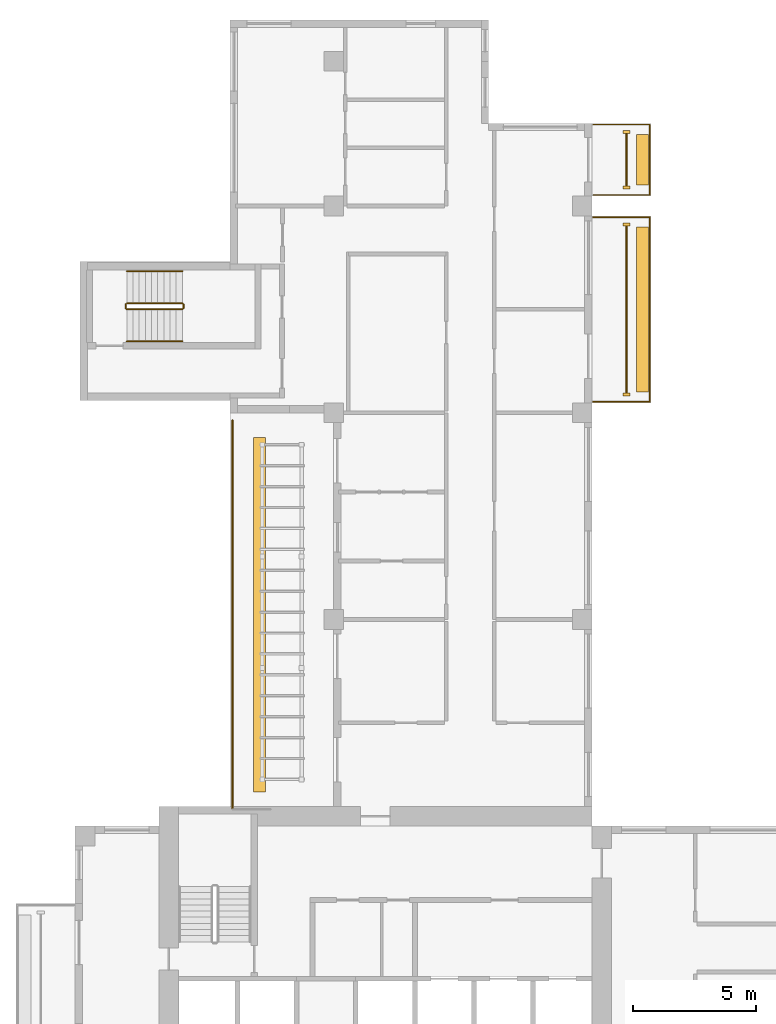
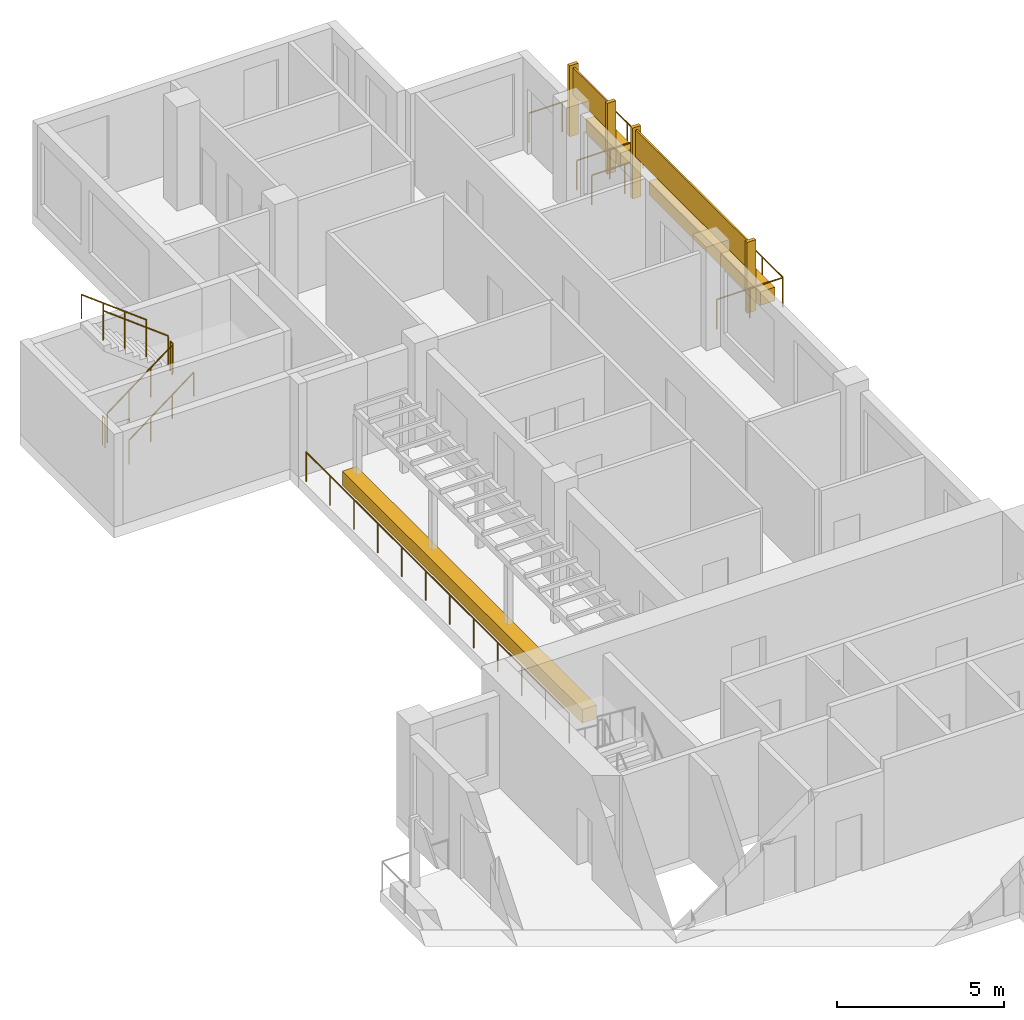
# One storey, part 14 of 14: 9 coverings, 9 railings.
"""IFC4 building model written with IfcOpenShell, lengths in metres."""

from ifc_helpers import new_model, si_unit, direction, frame, origin, origin_2d, place, context, subcontext, project, spatial, rectangle, circle, extrude, source, transform, mapped, material, type_object, element, save


model = new_model("IFC4")

# Units and contexts
model_context = context("Model", 3, precision=1e-05, world=origin(), true_north=direction((0.0, 1.0)))
body_context = subcontext(model_context, "Body", "Model", "MODEL_VIEW")
ifc_project = project(units=[si_unit("LENGTHUNIT", "METRE"), si_unit("AREAUNIT", "SQUARE_METRE"), si_unit("VOLUMEUNIT", "CUBIC_METRE"), si_unit("PLANEANGLEUNIT", "RADIAN"), si_unit("MASSUNIT", "GRAM", prefix="KILO")], contexts=[model_context])

# Site, building, storey
site_placement = place(None, origin())
site = spatial("IfcSite", under=ifc_project, at=site_placement, CompositionType="ELEMENT")
building_placement = place(site_placement, origin())
building = spatial("IfcBuilding", under=site, at=building_placement, Name="Aurelian Terraces", CompositionType="ELEMENT")
storey_placement = place(building_placement, frame((0.0, 0.0, 231.0)))
storey = spatial("IfcBuildingStorey", under=building, at=storey_placement, Name="L52", CompositionType="ELEMENT", Elevation=231.0)

# Railings
ifc_material_1 = material(Name="Anodised aluminium", Category="aluminium")
railing_type_1 = type_object("IfcRailingType", Name="GUARD-1100", PredefinedType="GUARDRAIL", material=ifc_material_1)
railing_1_placement = place(storey_placement, frame((21.05, 38.25, 0.0)))
element("IfcRailing", 1, at=railing_1_placement, inside=storey, type_object=railing_type_1, Name="Balcony guard L52 F08.20", PredefinedType="GUARDRAIL", context=body_context, shape_type="SweptSolid", body=[
    extrude(circle(Radius=0.024, at=origin_2d()), frame((0.0, 0.0, 1.076), z_axis=(1.0, 0.0, 0.0), x_axis=(0.0, 1.0, 0.0)), (0.0, 0.0, 1.0), 2.3),
    extrude(circle(Radius=0.024, at=origin_2d()), frame((2.3, 0.0, 1.076), z_axis=(0.0, 1.0, 0.0), x_axis=(-1.0, 0.0, 0.0)), (0.0, 0.0, 1.0), 7.5),
    extrude(circle(Radius=0.024, at=origin_2d()), frame((2.3, 7.5, 1.076), z_axis=(-1.0, 0.0, 0.0), x_axis=(0.0, -1.0, 0.0)), (0.0, 0.0, 1.0), 2.3),
    extrude(circle(Radius=0.021, at=origin_2d()), origin(), (0.0, 0.0, 1.0), 1.052),
    extrude(circle(Radius=0.021, at=origin_2d()), frame((1.15, 0.0, 0.0)), (0.0, 0.0, 1.0), 1.052),
    extrude(circle(Radius=0.021, at=origin_2d()), frame((2.3, 0.0, 0.0)), (0.0, 0.0, 1.0), 1.052),
    extrude(circle(Radius=0.021, at=origin_2d()), frame((2.3, 1.25, 0.0)), (0.0, 0.0, 1.0), 1.052),
    extrude(circle(Radius=0.021, at=origin_2d()), frame((2.3, 2.5, 0.0)), (0.0, 0.0, 1.0), 1.052),
    extrude(circle(Radius=0.021, at=origin_2d()), frame((2.3, 3.75, 0.0)), (0.0, 0.0, 1.0), 1.052),
    extrude(circle(Radius=0.021, at=origin_2d()), frame((2.3, 5.0, 0.0)), (0.0, 0.0, 1.0), 1.052),
    extrude(circle(Radius=0.021, at=origin_2d()), frame((2.3, 6.25, 0.0)), (0.0, 0.0, 1.0), 1.052),
    extrude(circle(Radius=0.021, at=origin_2d()), frame((2.3, 7.5, 0.0)), (0.0, 0.0, 1.0), 1.052),
    extrude(circle(Radius=0.021, at=origin_2d()), frame((1.15, 7.5, 0.0)), (0.0, 0.0, 1.0), 1.052),
    extrude(circle(Radius=0.021, at=origin_2d()), frame((0.0, 7.5, 0.0)), (0.0, 0.0, 1.0), 1.052),
])
railing_2_placement = place(storey_placement, frame((21.05, 46.65, 0.0)))
element("IfcRailing", 2, at=railing_2_placement, inside=storey, type_object=railing_type_1, Name="Balcony guard L52 F08.21", PredefinedType="GUARDRAIL", context=body_context, shape_type="SweptSolid", body=[
    extrude(circle(Radius=0.024, at=origin_2d()), frame((0.0, 0.0, 1.076), z_axis=(1.0, 0.0, 0.0), x_axis=(0.0, 1.0, 0.0)), (0.0, 0.0, 1.0), 2.3),
    extrude(circle(Radius=0.024, at=origin_2d()), frame((2.3, 0.0, 1.076), z_axis=(0.0, 1.0, 0.0), x_axis=(-1.0, 0.0, 0.0)), (0.0, 0.0, 1.0), 2.86),
    extrude(circle(Radius=0.024, at=origin_2d()), frame((2.3, 2.86, 1.076), z_axis=(-1.0, 0.0, 0.0), x_axis=(0.0, -1.0, 0.0)), (0.0, 0.0, 1.0), 2.3),
    extrude(circle(Radius=0.021, at=origin_2d()), origin(), (0.0, 0.0, 1.0), 1.052),
    extrude(circle(Radius=0.021, at=origin_2d()), frame((1.15, 0.0, 0.0)), (0.0, 0.0, 1.0), 1.052),
    extrude(circle(Radius=0.021, at=origin_2d()), frame((2.3, 0.0, 0.0)), (0.0, 0.0, 1.0), 1.052),
    extrude(circle(Radius=0.021, at=origin_2d()), frame((2.3, 0.9533, 0.0)), (0.0, 0.0, 1.0), 1.052),
    extrude(circle(Radius=0.021, at=origin_2d()), frame((2.3, 1.9067, 0.0)), (0.0, 0.0, 1.0), 1.052),
    extrude(circle(Radius=0.021, at=origin_2d()), frame((2.3, 2.86, 0.0)), (0.0, 0.0, 1.0), 1.052),
    extrude(circle(Radius=0.021, at=origin_2d()), frame((1.15, 2.86, 0.0)), (0.0, 0.0, 1.0), 1.052),
    extrude(circle(Radius=0.021, at=origin_2d()), frame((0.0, 2.86, 0.0)), (0.0, 0.0, 1.0), 1.052),
])

# Coverings
ifc_material_2 = material(Name="Terracotta planter with planting soil", Category="masonry")
covering_type_1 = type_object("IfcCoveringType", Name="PLANTER-TROUGH", PredefinedType="USERDEFINED", material=ifc_material_2)
covering_1_placement = place(storey_placement, frame((23.05, 42.0, 0.0), z_axis=(0.0, 0.0, 1.0), x_axis=(1.0, 0.0, 0.0)))
element("IfcCovering", 3, at=covering_1_placement, inside=storey, type_object=covering_type_1, Name="PLANTER L52 L52-F08-20", ObjectType="PLANTER", PredefinedType="USERDEFINED", context=body_context, shape_type="SweptSolid", body=[
    extrude(rectangle(XDim=0.5, YDim=6.7, at=origin_2d()), origin(), (0.0, 0.0, 1.0), 0.5),
])
covering_2_placement = place(storey_placement, frame((23.05, 48.08, 0.0), z_axis=(0.0, 0.0, 1.0), x_axis=(1.0, 0.0, 0.0)))
element("IfcCovering", 4, at=covering_2_placement, inside=storey, type_object=covering_type_1, Name="PLANTER L52 L52-F08-21", ObjectType="PLANTER", PredefinedType="USERDEFINED", context=body_context, shape_type="SweptSolid", body=[
    extrude(rectangle(XDim=0.5, YDim=2.06, at=origin_2d()), origin(), (0.0, 0.0, 1.0), 0.5),
])
ifc_material_3 = material(Name="Terracotta rainscreen cladding", Category="masonry")
covering_type_2 = type_object("IfcCoveringType", Name="SCREEN-TC", PredefinedType="CLADDING", material=ifc_material_3)
covering_3_placement = place(storey_placement, frame((22.4, 42.0, 1.5), z_axis=(0.0, 0.0, 1.0), x_axis=(1.0, 0.0, 0.0)))
element("IfcCovering", 5, at=covering_3_placement, inside=storey, type_object=covering_type_2, Name="SCREEN L52 L52-F08-20", PredefinedType="CLADDING", context=body_context, shape_type="SweptSolid", body=[
    extrude(rectangle(XDim=0.06, YDim=6.78, at=origin_2d()), origin(), (0.0, 0.0, 1.0), 1.0),
])
covering_4_placement = place(storey_placement, frame((22.4, 48.08, 1.5), z_axis=(0.0, 0.0, 1.0), x_axis=(1.0, 0.0, 0.0)))
element("IfcCovering", 6, at=covering_4_placement, inside=storey, type_object=covering_type_2, Name="SCREEN L52 L52-F08-21", PredefinedType="CLADDING", context=body_context, shape_type="SweptSolid", body=[
    extrude(rectangle(XDim=0.06, YDim=2.14, at=origin_2d()), origin(), (0.0, 0.0, 1.0), 1.0),
])
ifc_material_4 = material(Name="Terracotta rainscreen cladding relief", Category="masonry")
covering_type_3 = type_object("IfcCoveringType", Name="FIN-TC", PredefinedType="CLADDING", material=ifc_material_4)
shared_shape_1 = source(origin(), body_context, "Body", "SweptSolid", [
    extrude(rectangle(XDim=0.3, YDim=0.12, at=origin_2d()), origin(), (0.0, 0.0, 1.0), 2.6),
])
for number, where, z_axis, x_axis, name in (
    (7, (22.4, 38.55, 0.0), (0.0, 0.0, 1.0), (1.0, 0.0, 0.0), "FIN L52 L52-F08-20.1"),
    (8, (22.4, 45.45, 0.0), (0.0, 0.0, 1.0), (1.0, 0.0, 0.0), "FIN L52 L52-F08-20.2"),
    (9, (22.4, 46.95, 0.0), (0.0, 0.0, 1.0), (1.0, 0.0, 0.0), "FIN L52 L52-F08-21.1"),
    (10, (22.4, 49.21, 0.0), (0.0, 0.0, 1.0), (1.0, 0.0, 0.0), "FIN L52 L52-F08-21.2"),
):
    element("IfcCovering", number, at=place(storey_placement, frame(where, z_axis=z_axis, x_axis=x_axis)), inside=storey, type_object=covering_type_3, Name=name, PredefinedType="CLADDING", context=body_context, shape_type="MappedRepresentation", body=[
        mapped(shared_shape_1, transform((0.0, 0.0, 0.0), scale=1.0)),
    ])

# Railing
shared_shape_2 = source(origin(), body_context, "Body", "SweptSolid", [
    extrude(circle(Radius=0.024, at=origin_2d()), frame((0.0, 0.0, 1.076), z_axis=(0.0, 1.0, 0.0), x_axis=(-1.0, 0.0, 0.0)), (0.0, 0.0, 1.0), 15.81),
    extrude(circle(Radius=0.021, at=origin_2d()), origin(), (0.0, 0.0, 1.0), 1.052),
    extrude(circle(Radius=0.021, at=origin_2d()), frame((0.0, 1.4373, 0.0)), (0.0, 0.0, 1.0), 1.052),
    extrude(circle(Radius=0.021, at=origin_2d()), frame((0.0, 2.8745, 0.0)), (0.0, 0.0, 1.0), 1.052),
    extrude(circle(Radius=0.021, at=origin_2d()), frame((0.0, 4.3118, 0.0)), (0.0, 0.0, 1.0), 1.052),
    extrude(circle(Radius=0.021, at=origin_2d()), frame((0.0, 5.7491, 0.0)), (0.0, 0.0, 1.0), 1.052),
    extrude(circle(Radius=0.021, at=origin_2d()), frame((0.0, 7.1864, 0.0)), (0.0, 0.0, 1.0), 1.052),
    extrude(circle(Radius=0.021, at=origin_2d()), frame((0.0, 8.6236, 0.0)), (0.0, 0.0, 1.0), 1.052),
    extrude(circle(Radius=0.021, at=origin_2d()), frame((0.0, 10.0609, 0.0)), (0.0, 0.0, 1.0), 1.052),
    extrude(circle(Radius=0.021, at=origin_2d()), frame((0.0, 11.4982, 0.0)), (0.0, 0.0, 1.0), 1.052),
    extrude(circle(Radius=0.021, at=origin_2d()), frame((0.0, 12.9355, 0.0)), (0.0, 0.0, 1.0), 1.052),
    extrude(circle(Radius=0.021, at=origin_2d()), frame((0.0, 14.3727, 0.0)), (0.0, 0.0, 1.0), 1.052),
    extrude(circle(Radius=0.021, at=origin_2d()), frame((0.0, 15.81, 0.0)), (0.0, 0.0, 1.0), 1.052),
])
railing_3_placement = place(storey_placement, frame((6.39, 21.69, 0.0)))
element("IfcRailing", 11, at=railing_3_placement, inside=storey, type_object=railing_type_1, Name="Terrace guard L52 SKY-08-T1.2", PredefinedType="GUARDRAIL", context=body_context, shape_type="MappedRepresentation", body=[
    mapped(shared_shape_2, transform((0.0, 0.0, 0.0), scale=1.0)),
])

# Covering
shared_shape_3 = source(origin(), body_context, "Body", "SweptSolid", [
    extrude(rectangle(XDim=0.5, YDim=14.41, at=origin_2d()), origin(), (0.0, 0.0, 1.0), 0.5),
])
covering_5_placement = place(storey_placement, frame((7.49, 29.595, 0.0), z_axis=(0.0, 0.0, 1.0), x_axis=(1.0, 0.0, 0.0)))
element("IfcCovering", 12, at=covering_5_placement, inside=storey, type_object=covering_type_1, Name="PLANTER L52 terrace SKY-08-T1-1.1", ObjectType="PLANTER", PredefinedType="USERDEFINED", context=body_context, shape_type="MappedRepresentation", body=[
    mapped(shared_shape_3, transform((0.0, 0.0, 0.0), scale=1.0)),
])

# Railings
ifc_material_5 = material(Name="Stainless steel", Category="steel")
railing_type_2 = type_object("IfcRailingType", Name="Stair guard 1100", PredefinedType="GUARDRAIL", material=ifc_material_5)
shared_shape_4 = source(origin(), body_context, "Body", "SweptSolid", [
    extrude(circle(Radius=0.024, at=origin_2d()), frame((0.0, 0.0, 1.076), z_axis=(0.0, 1.0, 0.0), x_axis=(-1.0, 0.0, 0.0)), (0.0, 0.0, 1.0), 0.15),
    extrude(circle(Radius=0.021, at=origin_2d()), origin(), (0.0, 0.0, 1.0), 1.052),
    extrude(circle(Radius=0.021, at=origin_2d()), frame((0.0, 0.15, 0.0)), (0.0, 0.0, 1.0), 1.052),
])
for number, where, name in (
    (13, (4.4, 42.05, 1.9), "L52 S3 stair guard 2"),
    (14, (2.05, 42.05, 0.0), "L52 S3 stair guard 4"),
):
    element("IfcRailing", number, at=place(storey_placement, frame(where)), inside=storey, type_object=railing_type_2, Name=name, PredefinedType="GUARDRAIL", context=body_context, shape_type="MappedRepresentation", body=[
        mapped(shared_shape_4, transform((0.0, 0.0, 0.0), scale=1.0)),
    ])
shared_shape_5 = source(origin(), body_context, "Body", "SweptSolid", [
    extrude(circle(Radius=0.024, at=origin_2d()), frame((0.0, 0.0, 1.076), z_axis=(0.796162194123, 0.0, 0.605083267534), x_axis=(0.0, 1.0, 0.0)), (0.0, 0.0, 1.0), 2.8261),
    extrude(circle(Radius=0.021, at=origin_2d()), origin(), (0.0, 0.0, 1.0), 1.052),
    extrude(circle(Radius=0.021, at=origin_2d()), frame((0.75, 0.0, 0.57)), (0.0, 0.0, 1.0), 1.052),
    extrude(circle(Radius=0.021, at=origin_2d()), frame((1.5, 0.0, 1.14)), (0.0, 0.0, 1.0), 1.052),
    extrude(circle(Radius=0.021, at=origin_2d()), frame((2.25, 0.0, 1.71)), (0.0, 0.0, 1.0), 1.052),
])
railing_4_placement = place(storey_placement, frame((2.1, 42.0, 0.19)))
element("IfcRailing", 15, at=railing_4_placement, inside=storey, type_object=railing_type_2, Name="L52 S3 stair guard 1", PredefinedType="GUARDRAIL", context=body_context, shape_type="MappedRepresentation", body=[
    mapped(shared_shape_5, transform((0.0, 0.0, 0.0), scale=1.0)),
])
shared_shape_6 = source(origin(), body_context, "Body", "SweptSolid", [
    extrude(circle(Radius=0.024, at=origin_2d()), frame((0.0, 0.0, 1.076), z_axis=(-0.796162194123, 0.0, 0.605083267534), x_axis=(0.0, -1.0, 0.0)), (0.0, 0.0, 1.0), 2.8261),
    extrude(circle(Radius=0.021, at=origin_2d()), origin(), (0.0, 0.0, 1.0), 1.052),
    extrude(circle(Radius=0.021, at=origin_2d()), frame((-0.75, 0.0, 0.57)), (0.0, 0.0, 1.0), 1.052),
    extrude(circle(Radius=0.021, at=origin_2d()), frame((-1.5, 0.0, 1.14)), (0.0, 0.0, 1.0), 1.052),
    extrude(circle(Radius=0.021, at=origin_2d()), frame((-2.25, 0.0, 1.71)), (0.0, 0.0, 1.0), 1.052),
])
railing_5_placement = place(storey_placement, frame((4.35, 42.25, 2.09)))
element("IfcRailing", 16, at=railing_5_placement, inside=storey, type_object=railing_type_2, Name="L52 S3 stair guard 3", PredefinedType="GUARDRAIL", context=body_context, shape_type="MappedRepresentation", body=[
    mapped(shared_shape_6, transform((0.0, 0.0, 0.0), scale=1.0)),
])
railing_type_3 = type_object("IfcRailingType", Name="Stair handrail", PredefinedType="HANDRAIL", material=ifc_material_5)
shared_shape_7 = source(origin(), body_context, "Body", "SweptSolid", [
    extrude(circle(Radius=0.024, at=origin_2d()), frame((0.0, 0.0, 0.876), z_axis=(0.796162194123, 0.0, 0.605083267534), x_axis=(0.0, 1.0, 0.0)), (0.0, 0.0, 1.0), 2.8261),
    extrude(circle(Radius=0.021, at=origin_2d()), origin(), (0.0, 0.0, 1.0), 0.852),
    extrude(circle(Radius=0.021, at=origin_2d()), frame((0.75, 0.0, 0.57)), (0.0, 0.0, 1.0), 0.852),
    extrude(circle(Radius=0.021, at=origin_2d()), frame((1.5, 0.0, 1.14)), (0.0, 0.0, 1.0), 0.852),
    extrude(circle(Radius=0.021, at=origin_2d()), frame((2.25, 0.0, 1.71)), (0.0, 0.0, 1.0), 0.852),
])
railing_6_placement = place(storey_placement, frame((2.1, 40.7, 0.19)))
element("IfcRailing", 17, at=railing_6_placement, inside=storey, type_object=railing_type_3, Name="L52 S3 stair handrail 1", PredefinedType="HANDRAIL", context=body_context, shape_type="MappedRepresentation", body=[
    mapped(shared_shape_7, transform((0.0, 0.0, 0.0), scale=1.0)),
])
shared_shape_8 = source(origin(), body_context, "Body", "SweptSolid", [
    extrude(circle(Radius=0.024, at=origin_2d()), frame((0.0, 0.0, 0.876), z_axis=(-0.796162194123, 0.0, 0.605083267534), x_axis=(0.0, -1.0, 0.0)), (0.0, 0.0, 1.0), 2.8261),
    extrude(circle(Radius=0.021, at=origin_2d()), origin(), (0.0, 0.0, 1.0), 0.852),
    extrude(circle(Radius=0.021, at=origin_2d()), frame((-0.75, 0.0, 0.57)), (0.0, 0.0, 1.0), 0.852),
    extrude(circle(Radius=0.021, at=origin_2d()), frame((-1.5, 0.0, 1.14)), (0.0, 0.0, 1.0), 0.852),
    extrude(circle(Radius=0.021, at=origin_2d()), frame((-2.25, 0.0, 1.71)), (0.0, 0.0, 1.0), 0.852),
])
railing_7_placement = place(storey_placement, frame((4.35, 43.55, 2.09)))
element("IfcRailing", 18, at=railing_7_placement, inside=storey, type_object=railing_type_3, Name="L52 S3 stair handrail 2", PredefinedType="HANDRAIL", context=body_context, shape_type="MappedRepresentation", body=[
    mapped(shared_shape_8, transform((0.0, 0.0, 0.0), scale=1.0)),
])

save(model, "model.ifc")
